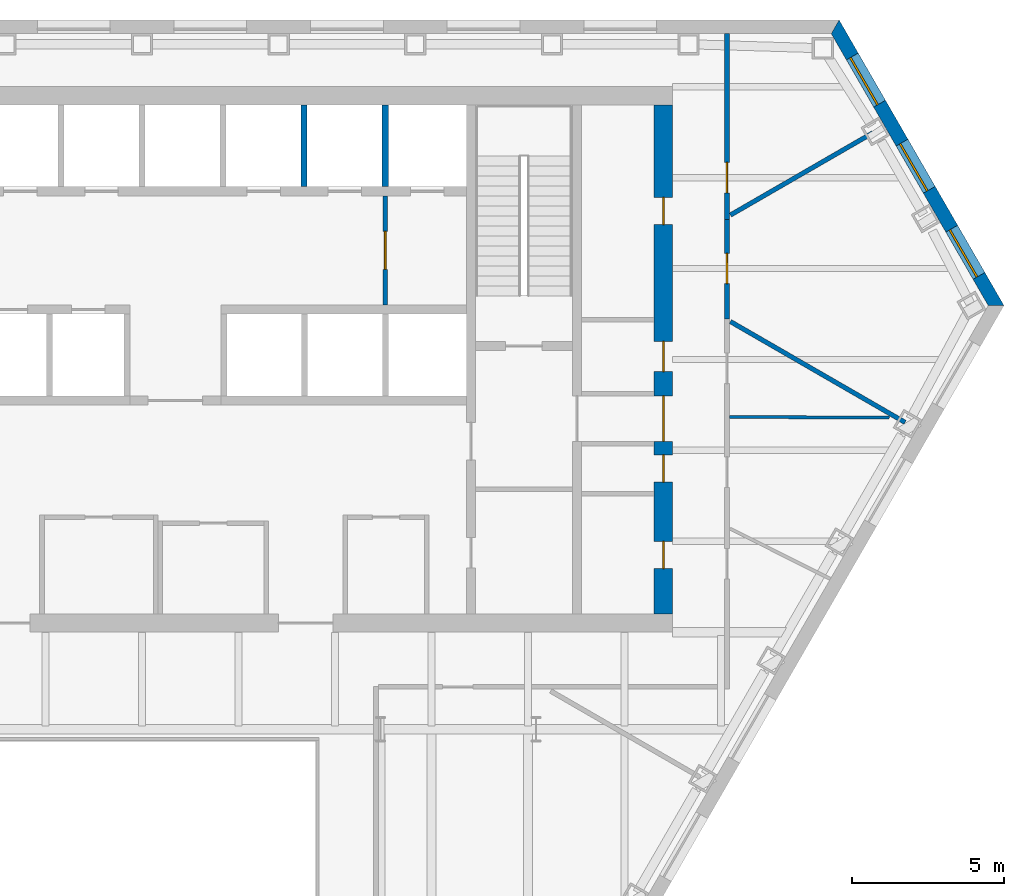
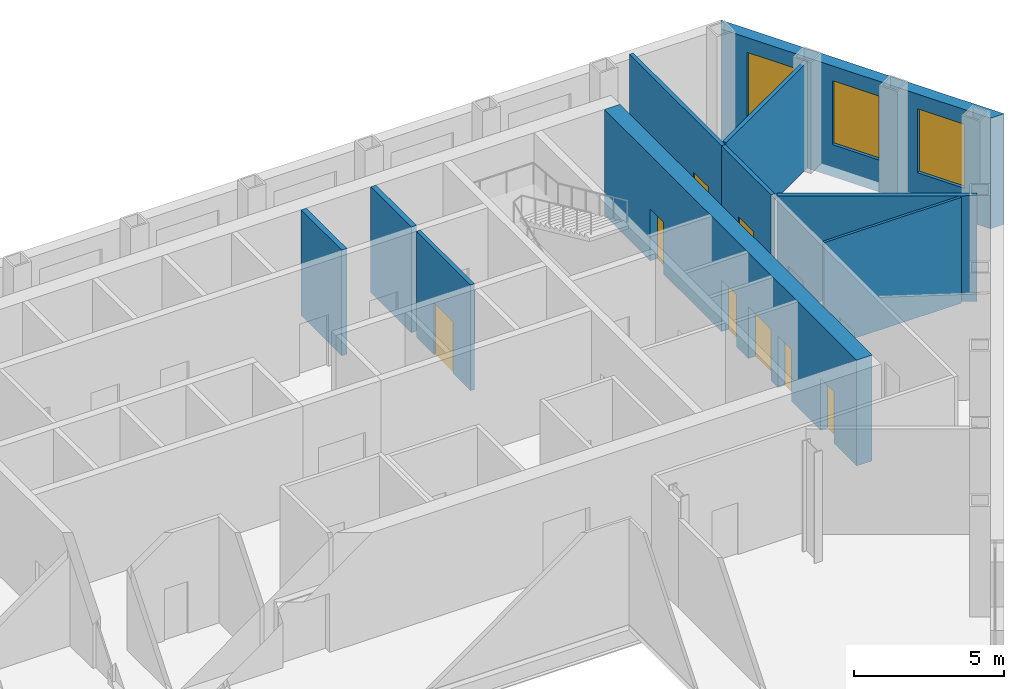
# One storey, part 8 of 11: 10 walls, 8 doors, 3 windows, 11 openings.
"""IFC4 building model written with IfcOpenShell, lengths in metres."""

from ifc_helpers import new_model, si_unit, direction, frame, frame_2d, origin, place, context, subcontext, project, spatial, polyline, rectangle, outline, extrude, material, layer, layer_set, type_object, element, fill, save


model = new_model("IFC4")

# Units and contexts
model_context = context("Model", 3, precision=1e-05, world=origin(), true_north=direction((0.0, 1.0)))
body_context = subcontext(model_context, "Body", "Model", "MODEL_VIEW")
ifc_project = project(units=[si_unit("LENGTHUNIT", "METRE"), si_unit("AREAUNIT", "SQUARE_METRE"), si_unit("VOLUMEUNIT", "CUBIC_METRE"), si_unit("PLANEANGLEUNIT", "RADIAN"), si_unit("MASSUNIT", "GRAM", prefix="KILO")], contexts=[model_context])

# Site, building, storey
site_placement = place(None, origin())
site = spatial("IfcSite", under=ifc_project, at=site_placement, CompositionType="ELEMENT")
building_placement = place(site_placement, origin())
building = spatial("IfcBuilding", under=site, at=building_placement, Name="Njiva Tower", CompositionType="ELEMENT")
storey_placement = place(building_placement, frame((0.0, 0.0, 69.3)))
storey = spatial("IfcBuildingStorey", under=building, at=storey_placement, Name="L14", CompositionType="ELEMENT", Elevation=69.3)

# Wall, openings, doors
ifc_material_1 = material(Name="Concrete C60/75", Category="concrete")
ifc_layer_1 = layer(ifc_material_1, 0.6)
ifc_layer_set_1 = layer_set([ifc_layer_1], Name="Concrete C60/75")
wall_type_1 = type_object("IfcWallType", Name="WT15 Core wall 600", PredefinedType="SHEAR", material=ifc_layer_set_1)
wall_1_placement = place(storey_placement, frame((17.2, 0.6, 0.0), z_axis=(0.0, 0.0, 1.0), x_axis=(0.0, 1.0, 0.0)))
wall_1 = element("IfcWall", 1, at=wall_1_placement, inside=storey, type_object=wall_type_1, Name="Core wall east", PredefinedType="SHEAR", context=body_context, shape_type="SweptSolid", body=[
    extrude(rectangle(XDim=16.8, YDim=0.6, at=frame_2d((8.4, 0.0))), origin(), (0.0, 0.0, 1.0), 4.3),
])
opening_1_placement = place(wall_1_placement, frame((5.7, 0.0, 0.0)))
opening_1 = element("IfcOpeningElement", 2, at=opening_1_placement, cuts=wall_1, Name="Opening S05-D927", PredefinedType="OPENING", context=body_context, shape_type="SweptSolid", body=[
    extrude(rectangle(XDim=1.5, YDim=2.1, at=frame_2d((0.75, 1.05))), frame((0.0, 0.31, 0.0), z_axis=(0.0, -1.0, 0.0), x_axis=(1.0, 0.0, 0.0)), (0.0, 0.0, 1.0), 0.62),
])
opening_2_placement = place(wall_1_placement, frame((1.5, 0.0, 0.0)))
opening_2 = element("IfcOpeningElement", 3, at=opening_2_placement, cuts=wall_1, Name="Opening S05-D928", PredefinedType="OPENING", context=body_context, shape_type="SweptSolid", body=[
    extrude(rectangle(XDim=0.9, YDim=2.1, at=frame_2d((0.45, 1.05))), frame((0.0, 0.31, 0.0), z_axis=(0.0, -1.0, 0.0), x_axis=(1.0, 0.0, 0.0)), (0.0, 0.0, 1.0), 0.62),
])
opening_3_placement = place(wall_1_placement, frame((4.35, 0.0, 0.0)))
opening_3 = element("IfcOpeningElement", 4, at=opening_3_placement, cuts=wall_1, Name="Opening S05-D929", PredefinedType="OPENING", context=body_context, shape_type="SweptSolid", body=[
    extrude(rectangle(XDim=0.9, YDim=2.1, at=frame_2d((0.45, 1.05))), frame((0.0, 0.31, 0.0), z_axis=(0.0, -1.0, 0.0), x_axis=(1.0, 0.0, 0.0)), (0.0, 0.0, 1.0), 0.62),
])
opening_4_placement = place(wall_1_placement, frame((7.9958, 0.0, 0.0)))
opening_4 = element("IfcOpeningElement", 5, at=opening_4_placement, cuts=wall_1, Name="Opening S05-D930", PredefinedType="OPENING", context=body_context, shape_type="SweptSolid", body=[
    extrude(rectangle(XDim=1.0, YDim=2.1, at=frame_2d((0.5, 1.05))), frame((0.0, 0.31, 0.0), z_axis=(0.0, -1.0, 0.0), x_axis=(1.0, 0.0, 0.0)), (0.0, 0.0, 1.0), 0.62),
])
opening_5_placement = place(wall_1_placement, frame((12.8458, 0.0, 0.0)))
opening_5 = element("IfcOpeningElement", 6, at=opening_5_placement, cuts=wall_1, Name="Opening S05-D931", PredefinedType="OPENING", context=body_context, shape_type="SweptSolid", body=[
    extrude(rectangle(XDim=0.9, YDim=2.1, at=frame_2d((0.45, 1.05))), frame((0.0, 0.31, 0.0), z_axis=(0.0, -1.0, 0.0), x_axis=(1.0, 0.0, 0.0)), (0.0, 0.0, 1.0), 0.62),
])
ifc_material_2 = material(Name="Glazed steel fire door", Category="steel")
door_type_1 = type_object("IfcDoorType", Name="D10 Exit door double 1500x2100 glazed", OperationType="DOUBLE_DOOR_SINGLE_SWING", PredefinedType="DOOR", material=ifc_material_2)
door_1_placement = place(opening_1_placement, origin())
door_1 = element("IfcDoor", 7, at=door_1_placement, inside=storey, type_object=door_type_1, Name="Stair B corridor door", OperationType="DOUBLE_DOOR_SINGLE_SWING", OverallHeight=2.1, OverallWidth=1.5, PredefinedType="DOOR", context=body_context, shape_type="SweptSolid", body=[
    extrude(rectangle(XDim=1.5, YDim=2.1, at=frame_2d((0.75, 1.05))), frame((0.0, 0.025, 0.0), z_axis=(0.0, -1.0, 0.0), x_axis=(1.0, 0.0, 0.0)), (0.0, 0.0, 1.0), 0.05),
])
fill(opening_1, door_1)
ifc_material_3 = material(Name="Steel door, painted", Category="steel")
door_type_2 = type_object("IfcDoorType", Name="D4 Riser door 900x2100", OperationType="SINGLE_SWING_LEFT", PredefinedType="DOOR", material=ifc_material_3)
door_2_placement = place(opening_3_placement, origin())
door_2 = element("IfcDoor", 8, at=door_2_placement, inside=storey, type_object=door_type_2, Name="Riser door", OperationType="SINGLE_SWING_LEFT", OverallHeight=2.1, OverallWidth=0.9, PredefinedType="DOOR", context=body_context, shape_type="SweptSolid", body=[
    extrude(rectangle(XDim=0.9, YDim=2.1, at=frame_2d((0.45, 1.05))), frame((0.0, 0.025, 0.0), z_axis=(0.0, -1.0, 0.0), x_axis=(1.0, 0.0, 0.0)), (0.0, 0.0, 1.0), 0.05),
])
fill(opening_3, door_2)
door_type_3 = type_object("IfcDoorType", Name="D5 Steel door 1000x2100", OperationType="SINGLE_SWING_LEFT", PredefinedType="DOOR", material=ifc_material_3)
door_3_placement = place(opening_4_placement, origin())
door_3 = element("IfcDoor", 9, at=door_3_placement, inside=storey, type_object=door_type_3, Name="Telecoms room door", OperationType="SINGLE_SWING_LEFT", OverallHeight=2.1, OverallWidth=1.0, PredefinedType="DOOR", context=body_context, shape_type="SweptSolid", body=[
    extrude(rectangle(XDim=1.0, YDim=2.1, at=frame_2d((0.5, 1.05))), frame((0.0, 0.025, 0.0), z_axis=(0.0, -1.0, 0.0), x_axis=(1.0, 0.0, 0.0)), (0.0, 0.0, 1.0), 0.05),
])
fill(opening_4, door_3)
ifc_material_4 = material(Name="Steel fire door, painted", Category="steel")
door_type_4 = type_object("IfcDoorType", Name="D6 Fire-rated door 900x2100", OperationType="SINGLE_SWING_LEFT", PredefinedType="DOOR", material=ifc_material_4)
door_4_placement = place(opening_2_placement, origin())
door_4 = element("IfcDoor", 10, at=door_4_placement, inside=storey, type_object=door_type_4, Name="Reading room door", OperationType="SINGLE_SWING_RIGHT", OverallHeight=2.1, OverallWidth=0.9, PredefinedType="DOOR", context=body_context, shape_type="SweptSolid", body=[
    extrude(rectangle(XDim=0.9, YDim=2.1, at=frame_2d((0.45, 1.05))), frame((0.0, 0.025, 0.0), z_axis=(0.0, -1.0, 0.0), x_axis=(1.0, 0.0, 0.0)), (0.0, 0.0, 1.0), 0.05),
])
fill(opening_2, door_4)
door_5_placement = place(opening_5_placement, origin())
door_5 = element("IfcDoor", 11, at=door_5_placement, inside=storey, type_object=door_type_4, Name="Tenant centre door", OperationType="SINGLE_SWING_LEFT", OverallHeight=2.1, OverallWidth=0.9, PredefinedType="DOOR", context=body_context, shape_type="SweptSolid", body=[
    extrude(rectangle(XDim=0.9, YDim=2.1, at=frame_2d((0.45, 1.05))), frame((0.0, 0.025, 0.0), z_axis=(0.0, -1.0, 0.0), x_axis=(1.0, 0.0, 0.0)), (0.0, 0.0, 1.0), 0.05),
])
fill(opening_5, door_5)

# Wall, opening, door
ifc_material_5 = material(Name="Blockwork", Category="masonry")
ifc_layer_2 = layer(ifc_material_5, 0.15)
ifc_layer_set_2 = layer_set([ifc_layer_2], Name="Blockwork")
wall_type_2 = type_object("IfcWallType", Name="WT2 Lobby partition 150", PredefinedType="PARTITIONING", material=ifc_layer_set_2)
wall_2_placement = place(storey_placement, frame((8.025, 10.8, 0.0), z_axis=(0.0, 0.0, 1.0), x_axis=(0.0, 1.0, 0.0)))
wall_2 = element("IfcWall", 12, at=wall_2_placement, inside=storey, type_object=wall_type_2, Name="Firefighting lobby wall B", PredefinedType="PARTITIONING", context=body_context, shape_type="SweptSolid", body=[
    extrude(rectangle(XDim=3.6, YDim=0.15, at=frame_2d((1.8, 0.0))), origin(), (0.0, 0.0, 1.0), 4.3),
])
opening_6_placement = place(wall_2_placement, frame((1.175, 0.0, 0.0)))
opening_6 = element("IfcOpeningElement", 13, at=opening_6_placement, cuts=wall_2, Name="Opening S05-D916", PredefinedType="OPENING", context=body_context, shape_type="SweptSolid", body=[
    extrude(rectangle(XDim=1.25, YDim=2.1, at=frame_2d((0.625, 1.05))), frame((0.0, 0.085, 0.0), z_axis=(0.0, -1.0, 0.0), x_axis=(1.0, 0.0, 0.0)), (0.0, 0.0, 1.0), 0.17),
])
door_type_5 = type_object("IfcDoorType", Name="D8 Vestibule corridor door 1250x2100 glazed", OperationType="SINGLE_SWING_LEFT", PredefinedType="DOOR", material=ifc_material_2)
door_6_placement = place(opening_6_placement, origin())
door_6 = element("IfcDoor", 14, at=door_6_placement, inside=storey, type_object=door_type_5, Name="Stair vestibule corridor door", OperationType="SINGLE_SWING_LEFT", OverallHeight=2.1, OverallWidth=1.25, PredefinedType="DOOR", context=body_context, shape_type="SweptSolid", body=[
    extrude(rectangle(XDim=1.25, YDim=2.1, at=frame_2d((0.625, 1.05))), frame((0.0, 0.025, 0.0), z_axis=(0.0, -1.0, 0.0), x_axis=(1.0, 0.0, 0.0)), (0.0, 0.0, 1.0), 0.05),
])
fill(opening_6, door_6)

# Wall
ifc_material_6 = material(Name="Gypsum board on steel studs", Category="gypsum")
ifc_layer_3 = layer(ifc_material_6, 0.1)
ifc_layer_set_3 = layer_set([ifc_layer_3], Name="Gypsum board on steel studs")
wall_type_3 = type_object("IfcWallType", Name="WT20 Gypsum partition 100", PredefinedType="PARTITIONING", material=ifc_layer_set_3)
wall_3_placement = place(storey_placement, frame((19.375, 7.097, 0.0), z_axis=(0.0, 0.0, 1.0), x_axis=(0.999998546715, -0.001704865869, 0.0)))
element("IfcWall", 15, at=wall_3_placement, inside=storey, type_object=wall_type_3, Name="Partition S05-P017", PredefinedType="PARTITIONING", context=body_context, shape_type="SweptSolid", body=[
    extrude(rectangle(XDim=5.279, YDim=0.1, at=frame_2d((2.6395, 0.0))), origin(), (0.0, 0.0, 1.0), 4.3),
])

# Wall, opening, door
ifc_layer_4 = layer(ifc_material_6, 0.15)
ifc_layer_set_4 = layer_set([ifc_layer_4], Name="Gypsum board on steel studs")
wall_type_4 = type_object("IfcWallType", Name="WT21 Compartment wall 150", PredefinedType="PARTITIONING", material=ifc_layer_set_4)
wall_4_placement = place(storey_placement, frame((19.3, 13.624, 0.0), z_axis=(0.0, 0.0, 1.0), x_axis=(0.000163238653, 0.999999986677, 0.0)))
wall_4 = element("IfcWall", 16, at=wall_4_placement, inside=storey, type_object=wall_type_4, Name="Partition S05-P014", PredefinedType="PARTITIONING", context=body_context, shape_type="SweptSolid", body=[
    extrude(rectangle(XDim=6.126, YDim=0.15, at=frame_2d((3.063, 0.0))), origin(), (0.0, 0.0, 1.0), 4.3),
])
opening_7_placement = place(wall_4_placement, frame((0.875, 0.0, 0.0)))
opening_7 = element("IfcOpeningElement", 17, at=opening_7_placement, cuts=wall_4, Name="Opening S05-D008", PredefinedType="OPENING", context=body_context, shape_type="SweptSolid", body=[
    extrude(rectangle(XDim=1.0, YDim=2.1, at=frame_2d((0.5, 1.05))), frame((0.0, 0.085, 0.0), z_axis=(0.0, -1.0, 0.0), x_axis=(1.0, 0.0, 0.0)), (0.0, 0.0, 1.0), 0.17),
])
ifc_material_7 = material(Name="Steel fire door set", Category="steel")
door_type_6 = type_object("IfcDoorType", Name="D37 Fire door 1000x2100", OperationType="SINGLE_SWING_LEFT", PredefinedType="DOOR", material=ifc_material_7)
door_7_placement = place(opening_7_placement, origin())
door_7 = element("IfcDoor", 18, at=door_7_placement, inside=storey, type_object=door_type_6, Name="Door S05-D008", OperationType="SINGLE_SWING_LEFT", OverallHeight=2.1, OverallWidth=1.0, PredefinedType="DOOR", context=body_context, shape_type="SweptSolid", body=[
    extrude(rectangle(XDim=1.0, YDim=2.1, at=frame_2d((0.5, 1.05))), frame((0.0, 0.025, 0.0), z_axis=(0.0, -1.0, 0.0), x_axis=(1.0, 0.0, 0.0)), (0.0, 0.0, 1.0), 0.05),
])
fill(opening_7, door_7)

wall_5_placement = place(storey_placement, frame((19.3, 13.624, 0.0), z_axis=(0.0, 0.0, 1.0), x_axis=(0.000303306022, -0.999999954003, 0.0)))
wall_5 = element("IfcWall", 19, at=wall_5_placement, inside=storey, type_object=wall_type_4, Name="Partition S05-P016", PredefinedType="PARTITIONING", context=body_context, shape_type="SweptSolid", body=[
    extrude(rectangle(XDim=3.297, YDim=0.15, at=frame_2d((1.6485, 0.0))), origin(), (0.0, 0.0, 1.0), 4.3),
])
opening_8_placement = place(wall_5_placement, frame((1.123, 0.0, 0.0)))
opening_8 = element("IfcOpeningElement", 20, at=opening_8_placement, cuts=wall_5, Name="Opening S05-D012", PredefinedType="OPENING", context=body_context, shape_type="SweptSolid", body=[
    extrude(rectangle(XDim=1.0, YDim=2.1, at=frame_2d((0.5, 1.05))), frame((0.0, 0.085, 0.0), z_axis=(0.0, -1.0, 0.0), x_axis=(1.0, 0.0, 0.0)), (0.0, 0.0, 1.0), 0.17),
])
door_8_placement = place(opening_8_placement, origin())
door_8 = element("IfcDoor", 21, at=door_8_placement, inside=storey, type_object=door_type_6, Name="Door S05-D012", OperationType="SINGLE_SWING_RIGHT", OverallHeight=2.1, OverallWidth=1.0, PredefinedType="DOOR", context=body_context, shape_type="SweptSolid", body=[
    extrude(rectangle(XDim=1.0, YDim=2.1, at=frame_2d((0.5, 1.05))), frame((0.0, 0.025, 0.0), z_axis=(0.0, -1.0, 0.0), x_axis=(1.0, 0.0, 0.0)), (0.0, 0.0, 1.0), 0.05),
])
fill(opening_8, door_8)

# Walls
wall_6_placement = place(storey_placement, frame((19.412, 10.251, 0.0), z_axis=(0.0, 0.0, 1.0), x_axis=(0.866080503844, -0.49990455175, 0.0)))
element("IfcWall", 22, at=wall_6_placement, inside=storey, type_object=wall_type_4, Name="Partition S05-P019", PredefinedType="PARTITIONING", context=body_context, shape_type="SweptSolid", body=[
    extrude(rectangle(XDim=6.6553, YDim=0.15, at=frame_2d((3.3276, 0.0))), origin(), (0.0, 0.0, 1.0), 4.3),
])
wall_7_placement = place(storey_placement, frame((19.413, 13.764, 0.0), z_axis=(0.0, 0.0, 1.0), x_axis=(0.866056658381, 0.499945861543, 0.0)))
element("IfcWall", 23, at=wall_7_placement, inside=storey, type_object=wall_type_4, Name="Partition S05-P020", PredefinedType="PARTITIONING", context=body_context, shape_type="SweptSolid", body=[
    extrude(rectangle(XDim=5.4246, YDim=0.15, at=frame_2d((2.7123, 0.0))), origin(), (0.0, 0.0, 1.0), 4.3),
])
ifc_material_8 = material(Name="Concrete C40/50", Category="concrete")
ifc_layer_5 = layer(ifc_material_8, 0.2)
ifc_layer_set_5 = layer_set([ifc_layer_5], Name="Concrete C40/50")
wall_type_5 = type_object("IfcWallType", Name="WT6 Lift shaft wall 200", PredefinedType="SHEAR", material=ifc_layer_set_5)
for number, where, z_axis, x_axis, name in (
    (24, (5.35, 14.7, 0.0), (0.0, 0.0, 1.0), (0.0, 1.0, 0.0), "Shaft wall CN6"),
    (25, (8.025, 14.7, 0.0), (0.0, 0.0, 1.0), (0.0, 1.0, 0.0), "Shaft wall CN7"),
):
    element("IfcWall", number, at=place(storey_placement, frame(where, z_axis=z_axis, x_axis=x_axis)), inside=storey, type_object=wall_type_5, Name=name, PredefinedType="SHEAR", context=body_context, shape_type="SweptSolid", body=[
        extrude(rectangle(XDim=2.7, YDim=0.2, at=frame_2d((1.35, 0.0))), origin(), (0.0, 0.0, 1.0), 4.3),
    ])

# Wall, openings, windows
ifc_material_9 = material(Name="Brick masonry, buff", Category="masonry")
ifc_layer_6 = layer(ifc_material_9, 0.45)
ifc_layer_set_6 = layer_set([ifc_layer_6], Name="Brick masonry, buff")
wall_type_6 = type_object("IfcWallType", Name="WT94 Brick pier and spandrel wall 450, buff", PredefinedType="SOLIDWALL", material=ifc_layer_set_6)
wall_8_placement = place(storey_placement, frame((28.1802, 10.7776, -0.4), z_axis=(0.0, 0.0, 1.0), x_axis=(-0.499998491145, 0.866026274921, 0.0)))
wall_8 = element("IfcWall", 26, at=wall_8_placement, inside=storey, type_object=wall_type_6, Name="Facade wall NE", PredefinedType="SOLIDWALL", context=body_context, shape_type="SweptSolid", body=[
    extrude(outline(polyline([(-0.1299, -0.225), (10.7501, -0.225), (10.4903, 0.225), (0.1299, 0.225), (-0.1299, -0.225)])), origin(), (0.0, 0.0, 1.0), 4.5),
])
opening_9_placement = place(wall_8_placement, frame((1.1297, 0.0, 1.3)))
opening_9 = element("IfcOpeningElement", 27, at=opening_9_placement, cuts=wall_8, Name="Opening S05-W34", PredefinedType="OPENING", context=body_context, shape_type="SweptSolid", body=[
    extrude(rectangle(XDim=1.8, YDim=2.6, at=frame_2d((0.9, 1.3))), frame((0.0, 0.235, 0.0), z_axis=(0.0, -1.0, 0.0), x_axis=(1.0, 0.0, 0.0)), (0.0, 0.0, 1.0), 0.47),
])
opening_10_placement = place(wall_8_placement, frame((4.4101, 0.0, 1.3)))
opening_10 = element("IfcOpeningElement", 28, at=opening_10_placement, cuts=wall_8, Name="Opening S05-W35", PredefinedType="OPENING", context=body_context, shape_type="SweptSolid", body=[
    extrude(rectangle(XDim=1.8, YDim=2.6, at=frame_2d((0.9, 1.3))), frame((0.0, 0.235, 0.0), z_axis=(0.0, -1.0, 0.0), x_axis=(1.0, 0.0, 0.0)), (0.0, 0.0, 1.0), 0.47),
])
opening_11_placement = place(wall_8_placement, frame((7.6904, 0.0, 1.3)))
opening_11 = element("IfcOpeningElement", 29, at=opening_11_placement, cuts=wall_8, Name="Opening S05-W36", PredefinedType="OPENING", context=body_context, shape_type="SweptSolid", body=[
    extrude(rectangle(XDim=1.8, YDim=2.6, at=frame_2d((0.9, 1.3))), frame((0.0, 0.235, 0.0), z_axis=(0.0, -1.0, 0.0), x_axis=(1.0, 0.0, 0.0)), (0.0, 0.0, 1.0), 0.47),
])
ifc_material_10 = material(Name="Clear glazing in aluminium frame", Category="aluminium")
window_type = type_object("IfcWindowType", Name="W96 Deep-set window 1800x2600", PartitioningType="SINGLE_PANEL", PredefinedType="WINDOW", material=ifc_material_10)
window_1_placement = place(opening_9_placement, origin())
window_1 = element("IfcWindow", 30, at=window_1_placement, inside=storey, type_object=window_type, Name="Window", OverallHeight=2.6, OverallWidth=1.8, PartitioningType="SINGLE_PANEL", PredefinedType="WINDOW", context=body_context, shape_type="SweptSolid", body=[
    extrude(rectangle(XDim=1.8, YDim=2.6, at=frame_2d((0.9, 1.3))), frame((0.0, 0.105, 0.0), z_axis=(0.0, -1.0, 0.0), x_axis=(1.0, 0.0, 0.0)), (0.0, 0.0, 1.0), 0.06),
])
fill(opening_9, window_1)
window_2_placement = place(opening_10_placement, origin())
window_2 = element("IfcWindow", 31, at=window_2_placement, inside=storey, type_object=window_type, Name="Window", OverallHeight=2.6, OverallWidth=1.8, PartitioningType="SINGLE_PANEL", PredefinedType="WINDOW", context=body_context, shape_type="SweptSolid", body=[
    extrude(rectangle(XDim=1.8, YDim=2.6, at=frame_2d((0.9, 1.3))), frame((0.0, 0.105, 0.0), z_axis=(0.0, -1.0, 0.0), x_axis=(1.0, 0.0, 0.0)), (0.0, 0.0, 1.0), 0.06),
])
fill(opening_10, window_2)
window_3_placement = place(opening_11_placement, origin())
window_3 = element("IfcWindow", 32, at=window_3_placement, inside=storey, type_object=window_type, Name="Window", OverallHeight=2.6, OverallWidth=1.8, PartitioningType="SINGLE_PANEL", PredefinedType="WINDOW", context=body_context, shape_type="SweptSolid", body=[
    extrude(rectangle(XDim=1.8, YDim=2.6, at=frame_2d((0.9, 1.3))), frame((0.0, 0.105, 0.0), z_axis=(0.0, -1.0, 0.0), x_axis=(1.0, 0.0, 0.0)), (0.0, 0.0, 1.0), 0.06),
])
fill(opening_11, window_3)

save(model, "model.ifc")
